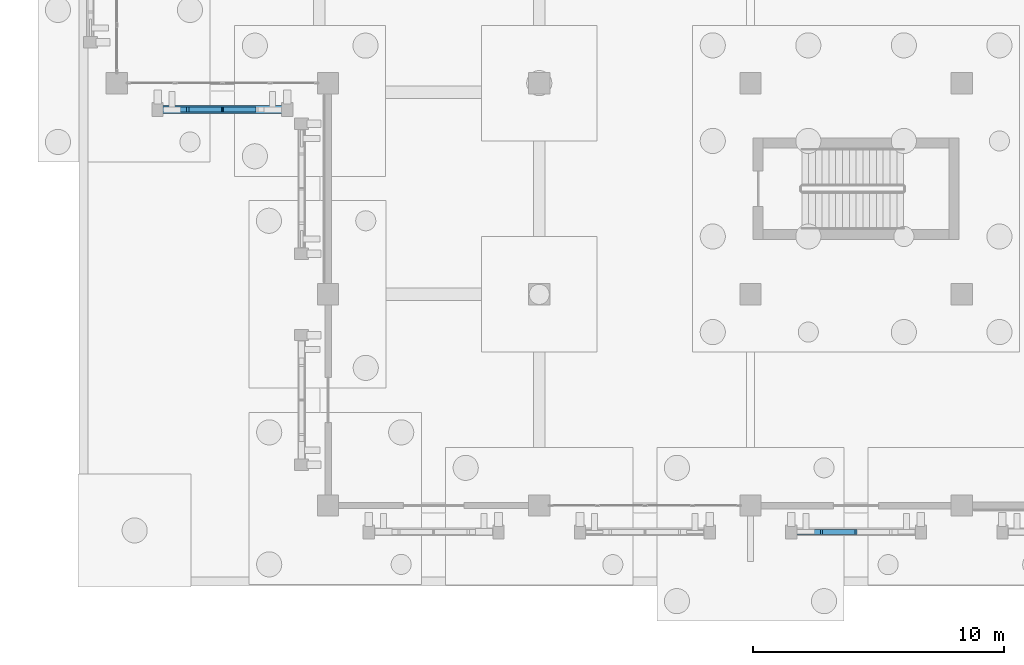
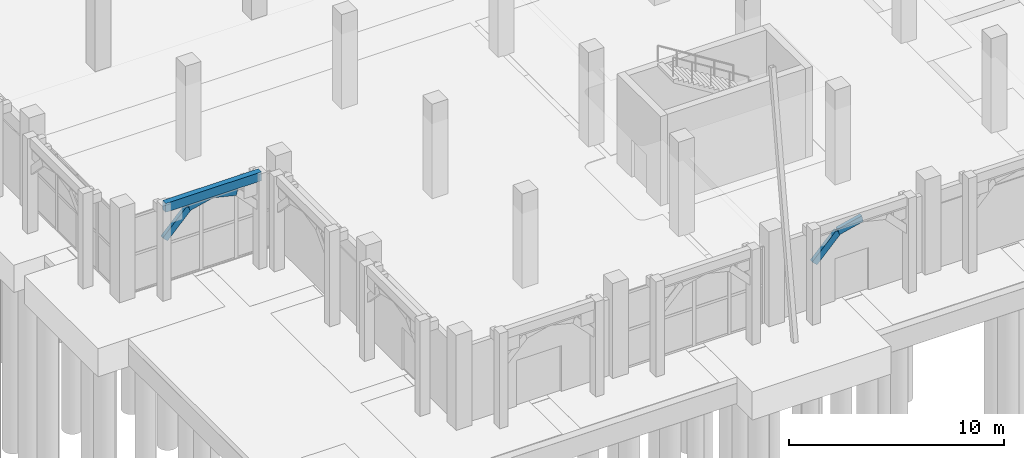
# One storey, part 14 of 98: 5 members, 1 beam.
"""IFC4 building model written with IfcOpenShell, lengths in metres."""

from ifc_helpers import new_model, si_unit, direction, frame, origin, origin_2d, place, context, subcontext, project, spatial, rectangle, extrude, material, material_profile, profile_set, type_object, element, save


model = new_model("IFC4")

# Units and contexts
model_context = context("Model", 3, precision=1e-05, world=origin(), true_north=direction((0.0, 1.0)))
body_context = subcontext(model_context, "Body", "Model", "MODEL_VIEW")
ifc_project = project(units=[si_unit("LENGTHUNIT", "METRE"), si_unit("AREAUNIT", "SQUARE_METRE"), si_unit("VOLUMEUNIT", "CUBIC_METRE"), si_unit("PLANEANGLEUNIT", "RADIAN"), si_unit("MASSUNIT", "GRAM", prefix="KILO")], contexts=[model_context])

# Site, building, storey
site_placement = place(None, origin())
site = spatial("IfcSite", under=ifc_project, at=site_placement, CompositionType="ELEMENT")
building_placement = place(site_placement, origin())
building = spatial("IfcBuilding", under=site, at=building_placement, Name="Xazarin Passage Department Store", CompositionType="ELEMENT")
storey_placement = place(building_placement, origin())
storey = spatial("IfcBuildingStorey", under=building, at=storey_placement, Name="L00", CompositionType="ELEMENT", Elevation=0.0)

# Beam
ifc_material_1 = material(Name="Concrete C35/45", Category="concrete")
ifc_material_profile_1 = material_profile(ifc_material_1, rectangle(XDim=0.300048828125, YDim=0.5, at=origin_2d()), Name="RC 300x500")
ifc_profile_set_1 = profile_set([ifc_material_profile_1], Name="Concrete C35/45")
beam_type = type_object("IfcBeamType", Name="STR-BM-LN300x500", PredefinedType="LINTEL", material=ifc_profile_set_1)
beam_placement = place(storey_placement, frame((1.6201171875, 15.75, 5.14990234375), z_axis=(1.0, 0.0, 0.0), x_axis=(0.0, 1.0, 0.0)))
element("IfcBeam", 1, at=beam_placement, inside=storey, type_object=beam_type, Name="L00 V3 Colonnade Spandrel Beam 026", PredefinedType="LINTEL", context=body_context, shape_type="SweptSolid", body=[
    extrude(rectangle(XDim=0.300048828125, YDim=0.5, at=origin_2d()), origin(), (0.0, 0.0, 1.0), 5.159912109375),
])

# Members
ifc_material_2 = material(Name="Concrete C40/50", Category="concrete")
ifc_material_profile_2 = material_profile(ifc_material_2, rectangle(XDim=0.199951171875, YDim=0.360107421875, at=origin_2d()), Name="RC 200x360")
ifc_profile_set_2 = profile_set([ifc_material_profile_2], Name="Concrete C40/50")
member_type = type_object("IfcMemberType", Name="STR-MEM-ARC360", PredefinedType="CHORD", material=ifc_profile_set_2)
member_1_placement = place(storey_placement, frame((1.6201171875, 15.75, 3.330078125), z_axis=(0.693391944082, 0.0, 0.720560623322), x_axis=(0.0, 1.0, 0.0)))
element("IfcMember", 2, at=member_1_placement, inside=storey, type_object=member_type, Name="L00 V3 Pierced Lattice Curved Arch 026.1", PredefinedType="CHORD", context=body_context, shape_type="SweptSolid", body=[
    extrude(rectangle(XDim=0.199951171875, YDim=0.360107421875, at=origin_2d()), origin(), (0.0, 0.0, 1.0), 1.860107421875),
])
for number, where, z_axis, x_axis, name in (
    (3, (2.909912109375, 15.75, 4.67041015625), (0.972393983317, 0.0, 0.233345111818), (0.0, 1.0, 0.0), "L00 V3 Pierced Lattice Curved Arch 026.2"),
    (4, (4.199951171875, 15.75, 4.97998046875), (0.972393983317, 0.0, -0.233345111818), (0.0, 1.0, 0.0), "L00 V3 Pierced Lattice Curved Arch 026.3"),
):
    element("IfcMember", number, at=place(storey_placement, frame(where, z_axis=z_axis, x_axis=x_axis)), inside=storey, type_object=member_type, Name=name, PredefinedType="CHORD", context=body_context, shape_type="SweptSolid", body=[
        extrude(rectangle(XDim=0.199951171875, YDim=0.360107421875, at=origin_2d()), origin(), (0.0, 0.0, 1.0), 1.32666015625),
    ])
member_2_placement = place(storey_placement, frame((26.820068359375, -1.050048828125, 3.330078125), z_axis=(0.693460080602, 0.0, 0.720495049679), x_axis=(0.0, 1.0, 0.0)))
element("IfcMember", 5, at=member_2_placement, inside=storey, type_object=member_type, Name="L00 V3 Pierced Lattice Curved Arch 029.1", PredefinedType="CHORD", context=body_context, shape_type="SweptSolid", body=[
    extrude(rectangle(XDim=0.199951171875, YDim=0.360107421875, at=origin_2d()), origin(), (0.0, 0.0, 1.0), 1.8603515625),
])
member_3_placement = place(storey_placement, frame((28.110107421875, -1.050048828125, 4.67041015625), z_axis=(0.972383960415, 0.0, 0.233386875224), x_axis=(0.0, 1.0, 0.0)))
element("IfcMember", 6, at=member_3_placement, inside=storey, type_object=member_type, Name="L00 V3 Pierced Lattice Curved Arch 029.2", PredefinedType="CHORD", context=body_context, shape_type="SweptSolid", body=[
    extrude(rectangle(XDim=0.199951171875, YDim=0.360107421875, at=origin_2d()), origin(), (0.0, 0.0, 1.0), 1.326416015625),
])

save(model, "model.ifc")
